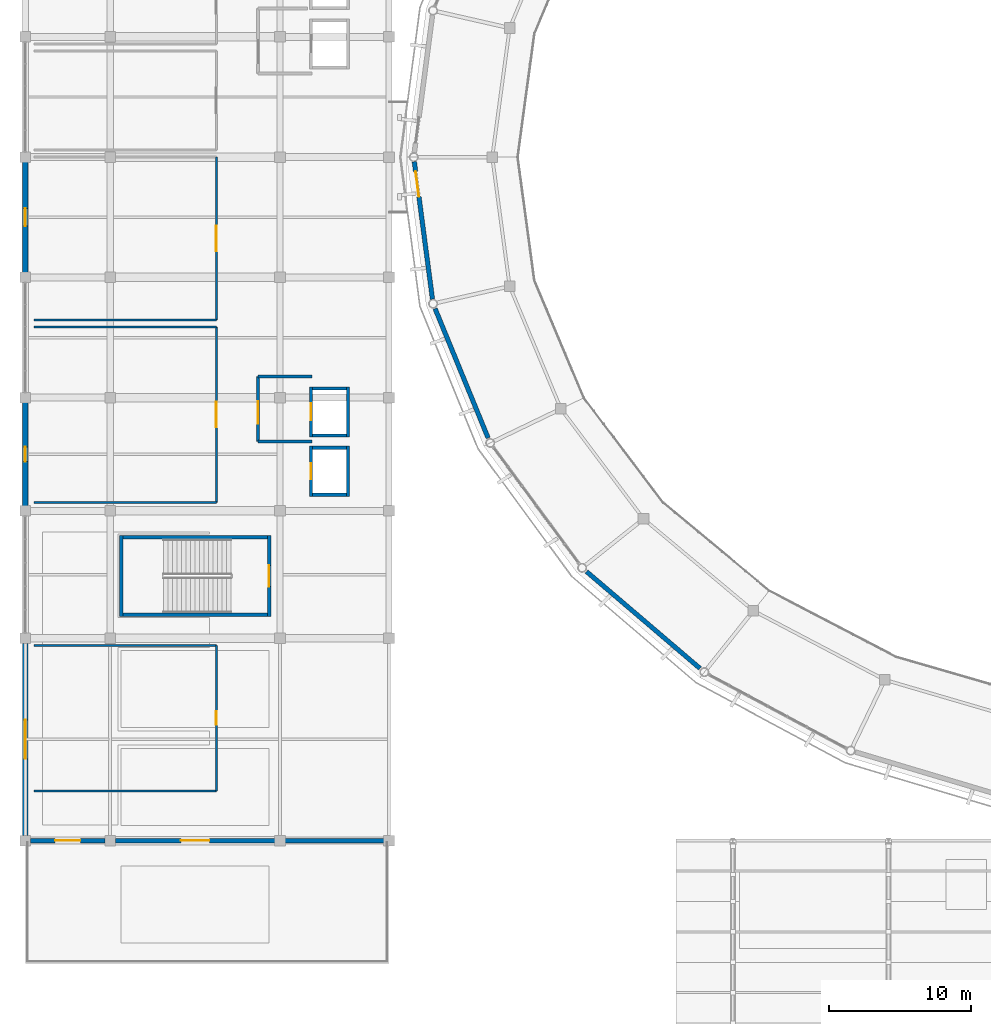
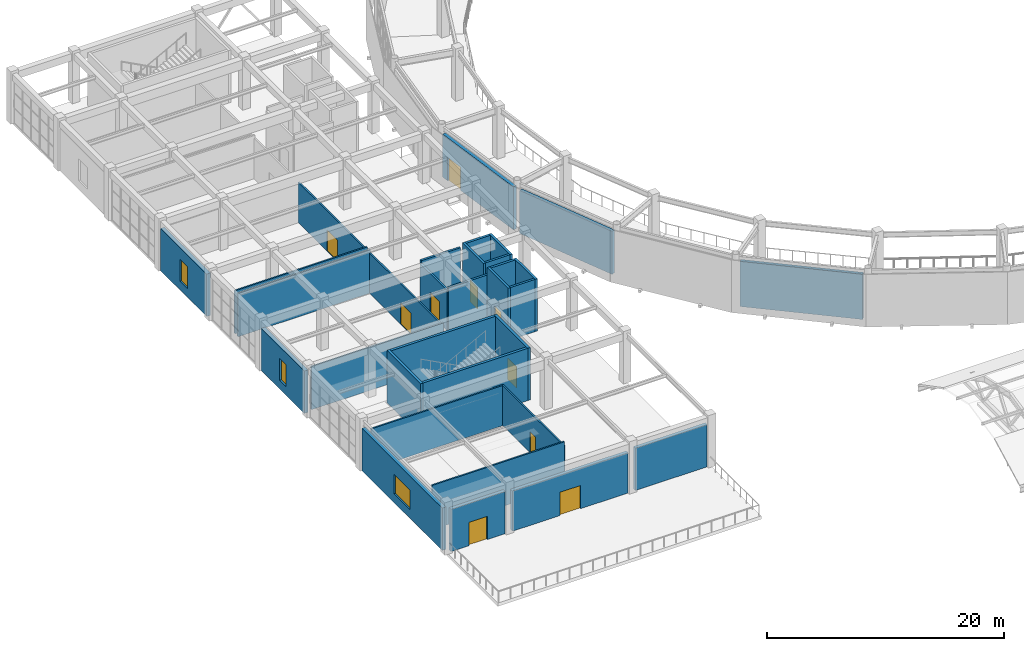
# One storey, part 53 of 70: 32 walls, 10 doors, 3 windows, 13 openings.
"""IFC4 building model written with IfcOpenShell, lengths in metres."""

from ifc_helpers import new_model, si_unit, direction, frame, frame_2d, origin, place, context, subcontext, project, spatial, rectangle, extrude, material, layer, layer_set, type_object, element, fill, save


model = new_model("IFC4")

# Units and contexts
model_context = context("Model", 3, precision=1e-05, world=origin(), true_north=direction((0.0, 1.0)))
body_context = subcontext(model_context, "Body", "Model", "MODEL_VIEW")
ifc_project = project(units=[si_unit("LENGTHUNIT", "METRE"), si_unit("AREAUNIT", "SQUARE_METRE"), si_unit("VOLUMEUNIT", "CUBIC_METRE"), si_unit("PLANEANGLEUNIT", "RADIAN"), si_unit("MASSUNIT", "GRAM", prefix="KILO")], contexts=[model_context])

# Site, building, storey
site_placement = place(None, origin())
site = spatial("IfcSite", under=ifc_project, at=site_placement, CompositionType="ELEMENT")
building_placement = place(site_placement, origin())
building = spatial("IfcBuilding", under=site, at=building_placement, Name="Cuetzalor Civic Arena", CompositionType="ELEMENT")
storey_placement = place(building_placement, frame((0.0, 0.0, 21.0)))
storey = spatial("IfcBuildingStorey", under=building, at=storey_placement, Name="L04", CompositionType="ELEMENT", Elevation=21.0)

# Walls
ifc_material_1 = material(Name="Acoustic steel-stud gypsum partition", Category="steel")
ifc_layer_1 = layer(ifc_material_1, 0.14990234375)
ifc_layer_set_1 = layer_set([ifc_layer_1], Name="Acoustic steel-stud gypsum partition")
wall_type_1 = type_object("IfcWallType", Name="AcousticGypsumPartition_150", PredefinedType="PARTITIONING", material=ifc_layer_set_1)
for number, where, z_axis, x_axis, name in (
    (1, (-81.39990234375, -12.0, 0.0), (0.0, 0.0, 1.0), (1.0, 0.0, 0.0), "Interior Partition IWALL:L04:0505"),
    (2, (-68.5, -24.39990234375, 0.0), (0.0, 0.0, 1.0), (-1.0, 0.0, 0.0), "Interior Partition IWALL:L04:0506"),
):
    element("IfcWall", number, at=place(storey_placement, frame(where, z_axis=z_axis, x_axis=x_axis)), inside=storey, type_object=wall_type_1, Name=name, PredefinedType="PARTITIONING", context=body_context, shape_type="SweptSolid", body=[
        extrude(rectangle(XDim=12.89990234375, YDim=0.14990234375, at=frame_2d((6.449951171875, 0.0))), origin(), (0.0, 0.0, 1.0), 4.445068359375),
    ])

# Wall, opening, door
wall_1_placement = place(storey_placement, frame((-68.5, -12.0, 0.0), z_axis=(0.0, 0.0, 1.0), x_axis=(0.0, -1.0, 0.0)))
wall_1 = element("IfcWall", 3, at=wall_1_placement, inside=storey, type_object=wall_type_1, Name="Interior Partition IWALL:L04:0507", PredefinedType="PARTITIONING", context=body_context, shape_type="SweptSolid", body=[
    extrude(rectangle(XDim=12.39990234375, YDim=0.14990234375, at=frame_2d((6.199951171875, 0.0))), origin(), (0.0, 0.0, 1.0), 4.14501953125),
])
opening_1_placement = place(wall_1_placement, frame((5.300048828125, 0.0, 0.0)))
opening_1 = element("IfcOpeningElement", 4, at=opening_1_placement, cuts=wall_1, Name="Opening ID-06", PredefinedType="OPENING", context=body_context, shape_type="SweptSolid", body=[
    extrude(rectangle(XDim=1.800048828125, YDim=2.199951171875, at=frame_2d((0.89990234375, 1.10009765625))), frame((0.0, 0.0849609375, 0.0), z_axis=(0.0, -1.0, 0.0), x_axis=(1.0, 0.0, 0.0)), (0.0, 0.0, 1.0), 0.169921875),
])
ifc_material_2 = material(Name="Glazed bronze acoustic double door", Category="metal")
door_type_1 = type_object("IfcDoorType", Name="PublicDoubleDoor_1800x2200", OperationType="DOUBLE_DOOR_SINGLE_SWING", PredefinedType="DOOR", material=ifc_material_2)
door_1_placement = place(opening_1_placement, origin())
door_1 = element("IfcDoor", 5, at=door_1_placement, inside=storey, type_object=door_type_1, Name="Door to Hospitality Club Lounge West Sky L04", OperationType="DOUBLE_DOOR_SINGLE_SWING", OverallHeight=2.199951171875, OverallWidth=1.800048828125, PredefinedType="DOOR", context=body_context, shape_type="SweptSolid", body=[
    extrude(rectangle(XDim=1.800048828125, YDim=2.199951171875, at=frame_2d((0.89990234375, 1.10009765625))), frame((0.0, 0.02490234375, 0.0), z_axis=(0.0, -1.0, 0.0), x_axis=(1.0, 0.0, 0.0)), (0.0, 0.0, 1.0), 0.050048828125),
])
fill(opening_1, door_1)

# Wall
wall_2_placement = place(storey_placement, frame((-68.5, -11.5, 0.0), z_axis=(0.0, 0.0, 1.0), x_axis=(-1.0, 0.0, 0.0)))
element("IfcWall", 6, at=wall_2_placement, inside=storey, type_object=wall_type_1, Name="Interior Partition IWALL:L04:0509", PredefinedType="PARTITIONING", context=body_context, shape_type="SweptSolid", body=[
    extrude(rectangle(XDim=12.89990234375, YDim=0.14990234375, at=frame_2d((6.449951171875, 0.0))), origin(), (0.0, 0.0, 1.0), 4.445068359375),
])

# Wall, opening, door
wall_3_placement = place(storey_placement, frame((-68.5, 0.0, 0.0), z_axis=(0.0, 0.0, 1.0), x_axis=(0.0, -1.0, 0.0)))
wall_3 = element("IfcWall", 7, at=wall_3_placement, inside=storey, type_object=wall_type_1, Name="Interior Partition IWALL:L04:0510", PredefinedType="PARTITIONING", context=body_context, shape_type="SweptSolid", body=[
    extrude(rectangle(XDim=11.5, YDim=0.14990234375, at=frame_2d((5.75, 0.0))), origin(), (0.0, 0.0, 1.0), 4.14501953125),
])
opening_2_placement = place(wall_3_placement, frame((4.85009765625, 0.0, 0.0)))
opening_2 = element("IfcOpeningElement", 8, at=opening_2_placement, cuts=wall_3, Name="Opening ID-06", PredefinedType="OPENING", context=body_context, shape_type="SweptSolid", body=[
    extrude(rectangle(XDim=1.800048828125, YDim=2.199951171875, at=frame_2d((0.89990234375, 1.10009765625))), frame((0.0, 0.0849609375, 0.0), z_axis=(0.0, -1.0, 0.0), x_axis=(1.0, 0.0, 0.0)), (0.0, 0.0, 1.0), 0.169921875),
])
door_2_placement = place(opening_2_placement, origin())
door_2 = element("IfcDoor", 9, at=door_2_placement, inside=storey, type_object=door_type_1, Name="Door to Sponsors Dining Hall West L04", OperationType="DOUBLE_DOOR_SINGLE_SWING", OverallHeight=2.199951171875, OverallWidth=1.800048828125, PredefinedType="DOOR", context=body_context, shape_type="SweptSolid", body=[
    extrude(rectangle(XDim=1.800048828125, YDim=2.199951171875, at=frame_2d((0.89990234375, 1.10009765625))), frame((0.0, 0.02490234375, 0.0), z_axis=(0.0, -1.0, 0.0), x_axis=(1.0, 0.0, 0.0)), (0.0, 0.0, 1.0), 0.050048828125),
])
fill(opening_2, door_2)

# Walls
wall_4_placement = place(storey_placement, frame((-81.39990234375, -34.5, 0.0), z_axis=(0.0, 0.0, 1.0), x_axis=(1.0, 0.0, 0.0)))
element("IfcWall", 10, at=wall_4_placement, inside=storey, type_object=wall_type_1, Name="Interior Partition IWALL:L04:0520", PredefinedType="PARTITIONING", context=body_context, shape_type="SweptSolid", body=[
    extrude(rectangle(XDim=12.89990234375, YDim=0.14990234375, at=frame_2d((6.449951171875, 0.0))), origin(), (0.0, 0.0, 1.0), 4.14501953125),
])
wall_5_placement = place(storey_placement, frame((-68.5, -44.800048828125, 0.0), z_axis=(0.0, 0.0, 1.0), x_axis=(-1.0, 0.0, 0.0)))
element("IfcWall", 11, at=wall_5_placement, inside=storey, type_object=wall_type_1, Name="Interior Partition IWALL:L04:0521", PredefinedType="PARTITIONING", context=body_context, shape_type="SweptSolid", body=[
    extrude(rectangle(XDim=12.89990234375, YDim=0.14990234375, at=frame_2d((6.449951171875, 0.0))), origin(), (0.0, 0.0, 1.0), 4.56201171875),
])

# Wall, opening, door
wall_6_placement = place(storey_placement, frame((-68.5, -34.5, 0.0), z_axis=(0.0, 0.0, 1.0), x_axis=(0.0, -1.0, 0.0)))
wall_6 = element("IfcWall", 12, at=wall_6_placement, inside=storey, type_object=wall_type_1, Name="Interior Partition IWALL:L04:0522", PredefinedType="PARTITIONING", context=body_context, shape_type="SweptSolid", body=[
    extrude(rectangle(XDim=10.300048828125, YDim=0.14990234375, at=frame_2d((5.14990234375, 0.0))), origin(), (0.0, 0.0, 1.0), 4.14501953125),
])
opening_3_placement = place(wall_6_placement, frame((4.675048828125, 0.0, 0.0)))
opening_3 = element("IfcOpeningElement", 13, at=opening_3_placement, cuts=wall_6, Name="Opening ID-03", PredefinedType="OPENING", context=body_context, shape_type="SweptSolid", body=[
    extrude(rectangle(XDim=0.949951171875, YDim=2.14990234375, at=frame_2d((0.47509765625, 1.074951171875))), frame((0.0, 0.0849609375, 0.0), z_axis=(0.0, -1.0, 0.0), x_axis=(1.0, 0.0, 0.0)), (0.0, 0.0, 1.0), 0.169921875),
])
ifc_material_3 = material(Name="Painted steel frame and solid timber leaf", Category="steel")
door_type_2 = type_object("IfcDoorType", Name="InteriorSingleDoor_950x2150", OperationType="NOTDEFINED", PredefinedType="DOOR", material=ifc_material_3)
door_3_placement = place(opening_3_placement, origin())
door_3 = element("IfcDoor", 14, at=door_3_placement, inside=storey, type_object=door_type_2, Name="Door to Catering Pantry West L04", OperationType="SINGLE_SWING_LEFT", OverallHeight=2.14990234375, OverallWidth=0.949951171875, PredefinedType="DOOR", context=body_context, shape_type="SweptSolid", body=[
    extrude(rectangle(XDim=0.949951171875, YDim=2.14990234375, at=frame_2d((0.47509765625, 1.074951171875))), frame((0.0, 0.02490234375, 0.0), z_axis=(0.0, -1.0, 0.0), x_axis=(1.0, 0.0, 0.0)), (0.0, 0.0, 1.0), 0.050048828125),
])
fill(opening_3, door_3)

# Walls
ifc_material_4 = material(Name="Concrete C40/50", Category="concrete")
ifc_layer_2 = layer(ifc_material_4, 0.25)
ifc_layer_set_2 = layer_set([ifc_layer_2], Name="Concrete C40/50")
wall_type_2 = type_object("IfcWallType", Name="ConcreteCoreShearWall_250", PredefinedType="SHEAR", material=ifc_layer_set_2)
wall_7_placement = place(storey_placement, frame((-75.22509765625, -32.449951171875, 0.0), z_axis=(0.0, 0.0, 1.0), x_axis=(0.0, 1.0, 0.0)))
element("IfcWall", 15, at=wall_7_placement, inside=storey, type_object=wall_type_2, Name="Stair Core Shear Wall ST-16-L04-W", PredefinedType="SHEAR", context=body_context, shape_type="SweptSolid", body=[
    extrude(rectangle(XDim=5.699951171875, YDim=0.25, at=frame_2d((2.85009765625, 0.0))), origin(), (0.0, 0.0, 1.0), 5.39990234375),
])
wall_8_placement = place(storey_placement, frame((-75.10009765625, -26.875, 0.0), z_axis=(0.0, 0.0, 1.0), x_axis=(1.0, 0.0, 0.0)))
element("IfcWall", 16, at=wall_8_placement, inside=storey, type_object=wall_type_2, Name="Stair Core Shear Wall ST-16-L04-N", PredefinedType="SHEAR", context=body_context, shape_type="SweptSolid", body=[
    extrude(rectangle(XDim=10.2001953125, YDim=0.25, at=frame_2d((5.10009765625, 0.0))), origin(), (0.0, 0.0, 1.0), 5.39990234375),
])

# Wall, opening, door
wall_9_placement = place(storey_placement, frame((-64.77490234375, -26.75, 0.0), z_axis=(0.0, 0.0, 1.0), x_axis=(0.0, -1.0, 0.0)))
wall_9 = element("IfcWall", 17, at=wall_9_placement, inside=storey, type_object=wall_type_2, Name="Stair Core Shear Wall ST-16-L04-E", PredefinedType="SHEAR", context=body_context, shape_type="SweptSolid", body=[
    extrude(rectangle(XDim=5.699951171875, YDim=0.25, at=frame_2d((2.85009765625, 0.0))), origin(), (0.0, 0.0, 1.0), 5.39990234375),
])
opening_4_placement = place(wall_9_placement, frame((2.10009765625, 0.0, 0.0)))
opening_4 = element("IfcOpeningElement", 18, at=opening_4_placement, cuts=wall_9, Name="Opening FD-03", PredefinedType="OPENING", context=body_context, shape_type="SweptSolid", body=[
    extrude(rectangle(XDim=1.5, YDim=2.199951171875, at=frame_2d((0.75, 1.10009765625))), frame((0.0, 0.135009765625, 0.0), z_axis=(0.0, -1.0, 0.0), x_axis=(1.0, 0.0, 0.0)), (0.0, 0.0, 1.0), 0.27001953125),
])
ifc_material_5 = material(Name="Fire-rated steel stair exit double door", Category="steel")
door_type_3 = type_object("IfcDoorType", Name="StairFireDoubleDoor_1500x2200", OperationType="DOUBLE_DOOR_SINGLE_SWING", PredefinedType="DOOR", material=ifc_material_5)
door_4_placement = place(opening_4_placement, origin())
door_4 = element("IfcDoor", 19, at=door_4_placement, inside=storey, type_object=door_type_3, Name="Fire Stair Door ST-16 L04", OperationType="DOUBLE_DOOR_SINGLE_SWING", OverallHeight=2.199951171875, OverallWidth=1.5, PredefinedType="DOOR", context=body_context, shape_type="SweptSolid", body=[
    extrude(rectangle(XDim=1.5, YDim=2.199951171875, at=frame_2d((0.75, 1.10009765625))), frame((0.0, 0.02490234375, 0.0), z_axis=(0.0, -1.0, 0.0), x_axis=(1.0, 0.0, 0.0)), (0.0, 0.0, 1.0), 0.050048828125),
])
fill(opening_4, door_4)

# Wall
wall_10_placement = place(storey_placement, frame((-64.89990234375, -32.324951171875, 0.0), z_axis=(0.0, 0.0, 1.0), x_axis=(-1.0, 0.0, 0.0)))
element("IfcWall", 20, at=wall_10_placement, inside=storey, type_object=wall_type_2, Name="Stair Core Shear Wall ST-16-L04-S", PredefinedType="SHEAR", context=body_context, shape_type="SweptSolid", body=[
    extrude(rectangle(XDim=10.2001953125, YDim=0.25, at=frame_2d((5.10009765625, 0.0))), origin(), (0.0, 0.0, 1.0), 5.39990234375),
])

# Wall, opening, door
ifc_material_6 = material(Name="Fire-rated masonry and gypsum partition", Category="masonry")
ifc_layer_3 = layer(ifc_material_6, 0.199951171875)
ifc_layer_set_3 = layer_set([ifc_layer_3], Name="Fire-rated masonry and gypsum partition")
wall_type_3 = type_object("IfcWallType", Name="FireCompartmentWall_200", PredefinedType="PARTITIONING", material=ifc_layer_set_3)
wall_11_placement = place(storey_placement, frame((-65.550048828125, -20.10009765625, 0.0), z_axis=(0.0, 0.0, 1.0), x_axis=(0.0, 1.0, 0.0)))
wall_11 = element("IfcWall", 21, at=wall_11_placement, inside=storey, type_object=wall_type_3, Name="Interior Partition IWALL:L04:0013", PredefinedType="PARTITIONING", context=body_context, shape_type="SweptSolid", body=[
    extrude(rectangle(XDim=4.60009765625, YDim=0.199951171875, at=frame_2d((2.300048828125, 0.0))), origin(), (0.0, 0.0, 1.0), 4.14501953125),
])
opening_5_placement = place(wall_11_placement, frame((1.25, 0.0, 0.0)))
opening_5 = element("IfcOpeningElement", 22, at=opening_5_placement, cuts=wall_11, Name="Opening FD-05", PredefinedType="OPENING", context=body_context, shape_type="SweptSolid", body=[
    extrude(rectangle(XDim=1.60009765625, YDim=2.199951171875, at=frame_2d((0.800048828125, 1.10009765625))), frame((0.0, 0.10986328125, 0.0), z_axis=(0.0, -1.0, 0.0), x_axis=(1.0, 0.0, 0.0)), (0.0, 0.0, 1.0), 0.219970703125),
])
ifc_material_7 = material(Name="Fire-rated smoke-seal lobby double door", Category="steel")
door_type_4 = type_object("IfcDoorType", Name="FireLobbyDoubleDoor_1600x2200", OperationType="DOUBLE_DOOR_SINGLE_SWING", PredefinedType="DOOR", material=ifc_material_7)
door_5_placement = place(opening_5_placement, origin())
door_5 = element("IfcDoor", 23, at=door_5_placement, inside=storey, type_object=door_type_4, Name="Door to Firefighting Lift Lobby LF-01 L04", OperationType="DOUBLE_DOOR_SINGLE_SWING", OverallHeight=2.199951171875, OverallWidth=1.60009765625, PredefinedType="DOOR", context=body_context, shape_type="SweptSolid", body=[
    extrude(rectangle(XDim=1.60009765625, YDim=2.199951171875, at=frame_2d((0.800048828125, 1.10009765625))), frame((0.0, 0.02490234375, 0.0), z_axis=(0.0, -1.0, 0.0), x_axis=(1.0, 0.0, 0.0)), (0.0, 0.0, 1.0), 0.050048828125),
])
fill(opening_5, door_5)

# Walls
for number, where, z_axis, x_axis, name in (
    (24, (-65.550048828125, -15.5, 0.0), (0.0, 0.0, 1.0), (1.0, 0.0, 0.0), "Interior Partition IWALL:L04:0014"),
    (25, (-61.75, -20.10009765625, 0.0), (0.0, 0.0, 1.0), (-1.0, 0.0, 0.0), "Interior Partition IWALL:L04:0015"),
):
    element("IfcWall", number, at=place(storey_placement, frame(where, z_axis=z_axis, x_axis=x_axis)), inside=storey, type_object=wall_type_3, Name=name, PredefinedType="PARTITIONING", context=body_context, shape_type="SweptSolid", body=[
        extrude(rectangle(XDim=3.800048828125, YDim=0.199951171875, at=frame_2d((1.89990234375, 0.0))), origin(), (0.0, 0.0, 1.0), 4.445068359375),
    ])

# Wall, opening, door
ifc_material_8 = material(Name="Precast concrete C40/50 insulated cladding", Category="concrete")
ifc_layer_4 = layer(ifc_material_8, 0.320068359375)
ifc_layer_set_4 = layer_set([ifc_layer_4], Name="Precast concrete C40/50 insulated cladding")
wall_type_4 = type_object("IfcWallType", Name="InsulatedPrecastWall_320", PredefinedType="SOLIDWALL", material=ifc_layer_set_4)
wall_12_placement = place(storey_placement, frame((-53.224853515625, -10.036865234375, 0.0), z_axis=(0.0, 0.0, 1.0), x_axis=(-0.130894016981, 0.991396366908, 0.0)))
wall_12 = element("IfcWall", 26, at=wall_12_placement, inside=storey, type_object=wall_type_4, Name="Drum Acoustic Backing Wall L04-065", PredefinedType="SOLIDWALL", context=body_context, shape_type="SweptSolid", body=[
    extrude(rectangle(XDim=9.799560546875, YDim=0.320068359375, at=frame_2d((4.89990234375, 0.0))), origin(), (0.0, 0.0, 1.0), 4.431884765625),
])
opening_6_placement = place(wall_12_placement, frame((7.299560546875, 0.0, 0.0)))
opening_6 = element("IfcOpeningElement", 27, at=opening_6_placement, cuts=wall_12, Name="Opening ED-09", PredefinedType="OPENING", context=body_context, shape_type="SweptSolid", body=[
    extrude(rectangle(XDim=1.800048828125, YDim=2.39990234375, at=frame_2d((0.89990234375, 1.199951171875))), frame((0.0, 0.169921875, 0.0), z_axis=(0.0, -1.0, 0.0), x_axis=(1.0, 0.0, 0.0)), (0.0, 0.0, 1.0), 0.340087890625),
])
ifc_material_9 = material(Name="Thermally broken bronze steel and laminated glass", Category="steel")
door_type_5 = type_object("IfcDoorType", Name="RoofGardenGlazedDoor_1800x2400", OperationType="DOUBLE_DOOR_SINGLE_SWING", PredefinedType="DOOR", material=ifc_material_9)
door_6_placement = place(opening_6_placement, origin())
door_6 = element("IfcDoor", 28, at=door_6_placement, inside=storey, type_object=door_type_5, Name="Seismic Bridge Circulation Door L04-S15", OperationType="DOUBLE_DOOR_SINGLE_SWING", OverallHeight=2.39990234375, OverallWidth=1.800048828125, PredefinedType="DOOR", context=body_context, shape_type="SweptSolid", body=[
    extrude(rectangle(XDim=1.800048828125, YDim=2.39990234375, at=frame_2d((0.89990234375, 1.199951171875))), frame((0.0, 0.02490234375, 0.0), z_axis=(0.0, -1.0, 0.0), x_axis=(1.0, 0.0, 0.0)), (0.0, 0.0, 1.0), 0.050048828125),
])
fill(opening_6, door_6)

# Walls
wall_13_placement = place(storey_placement, frame((-49.2919921875, -19.845703125, 0.0), z_axis=(0.0, 0.0, 1.0), x_axis=(-0.379382703047, 0.925239841678, 0.0)))
element("IfcWall", 29, at=wall_13_placement, inside=storey, type_object=wall_type_4, Name="Drum Acoustic Backing Wall L04-066", PredefinedType="SOLIDWALL", context=body_context, shape_type="SweptSolid", body=[
    extrude(rectangle(XDim=9.874267578125, YDim=0.320068359375, at=frame_2d((4.93701171875, 0.0))), origin(), (0.0, 0.0, 1.0), 4.431884765625),
])
wall_14_placement = place(storey_placement, frame((-34.32470703125, -36.126953125, 0.0), z_axis=(0.0, 0.0, 1.0), x_axis=(-0.760681761173, 0.649124994296, 0.0)))
element("IfcWall", 30, at=wall_14_placement, inside=storey, type_object=wall_type_4, Name="Drum Acoustic Backing Wall L04-067", PredefinedType="SOLIDWALL", context=body_context, shape_type="SweptSolid", body=[
    extrude(rectangle(XDim=10.531005859375, YDim=0.320068359375, at=frame_2d((5.265625, 0.0))), origin(), (0.0, 0.0, 1.0), 4.653076171875),
])

# Wall, opening, door
wall_15_placement = place(storey_placement, frame((-76.35693359375, -48.300048828125, 0.0), z_axis=(0.0, 0.0, 1.0), x_axis=(-1.0, 0.0, 0.0)))
wall_15 = element("IfcWall", 31, at=wall_15_placement, inside=storey, type_object=wall_type_4, Name="V4W L04 Roof Garden Access Wall L04-151", PredefinedType="SOLIDWALL", context=body_context, shape_type="SweptSolid", body=[
    extrude(rectangle(XDim=5.2861328125, YDim=0.320068359375, at=frame_2d((2.64306640625, 0.0))), origin(), (0.0, 0.0, 1.0), 4.360107421875),
])
opening_7_placement = place(wall_15_placement, frame((1.742919921875, 0.0, 0.0)))
opening_7 = element("IfcOpeningElement", 32, at=opening_7_placement, cuts=wall_15, Name="Opening ED-09", PredefinedType="OPENING", context=body_context, shape_type="SweptSolid", body=[
    extrude(rectangle(XDim=1.800048828125, YDim=2.39990234375, at=frame_2d((0.89990234375, 1.199951171875))), frame((0.0, 0.169921875, 0.0), z_axis=(0.0, -1.0, 0.0), x_axis=(1.0, 0.0, 0.0)), (0.0, 0.0, 1.0), 0.340087890625),
])
door_7_placement = place(opening_7_placement, origin())
door_7 = element("IfcDoor", 33, at=door_7_placement, inside=storey, type_object=door_type_5, Name="Glazed Door to Planted Roof Garden V4W L04-1", OperationType="DOUBLE_DOOR_SINGLE_SWING", OverallHeight=2.39990234375, OverallWidth=1.800048828125, PredefinedType="DOOR", context=body_context, shape_type="SweptSolid", body=[
    extrude(rectangle(XDim=1.800048828125, YDim=2.39990234375, at=frame_2d((0.89990234375, 1.199951171875))), frame((0.0, 0.02490234375, 0.0), z_axis=(0.0, -1.0, 0.0), x_axis=(1.0, 0.0, 0.0)), (0.0, 0.0, 1.0), 0.050048828125),
])
fill(opening_7, door_7)

wall_16_placement = place(storey_placement, frame((-64.35693359375, -48.300048828125, 0.0), z_axis=(0.0, 0.0, 1.0), x_axis=(-1.0, 0.0, 0.0)))
wall_16 = element("IfcWall", 34, at=wall_16_placement, inside=storey, type_object=wall_type_4, Name="V4W L04 Roof Garden Access Wall L04-152", PredefinedType="SOLIDWALL", context=body_context, shape_type="SweptSolid", body=[
    extrude(rectangle(XDim=11.2861328125, YDim=0.320068359375, at=frame_2d((5.64306640625, 0.0))), origin(), (0.0, 0.0, 1.0), 4.159912109375),
])
opening_8_placement = place(wall_16_placement, frame((4.64306640625, 0.0, 0.0)))
opening_8 = element("IfcOpeningElement", 35, at=opening_8_placement, cuts=wall_16, Name="Opening ED-10", PredefinedType="OPENING", context=body_context, shape_type="SweptSolid", body=[
    extrude(rectangle(XDim=2.0, YDim=2.39990234375, at=frame_2d((1.0, 1.199951171875))), frame((0.0, 0.169921875, 0.0), z_axis=(0.0, -1.0, 0.0), x_axis=(1.0, 0.0, 0.0)), (0.0, 0.0, 1.0), 0.340087890625),
])
ifc_material_10 = material(Name="Thermally broken bronze steel and laminated glass", Category="steel")
door_type_6 = type_object("IfcDoorType", Name="RoofGardenGlazedDoor_2000x2400", OperationType="DOUBLE_DOOR_SINGLE_SWING", PredefinedType="DOOR", material=ifc_material_10)
door_8_placement = place(opening_8_placement, origin())
door_8 = element("IfcDoor", 36, at=door_8_placement, inside=storey, type_object=door_type_6, Name="Glazed Door to Planted Roof Garden V4W L04-2", OperationType="DOUBLE_DOOR_SINGLE_SWING", OverallHeight=2.39990234375, OverallWidth=2.0, PredefinedType="DOOR", context=body_context, shape_type="SweptSolid", body=[
    extrude(rectangle(XDim=2.0, YDim=2.39990234375, at=frame_2d((1.0, 1.199951171875))), frame((0.0, 0.02490234375, 0.0), z_axis=(0.0, -1.0, 0.0), x_axis=(1.0, 0.0, 0.0)), (0.0, 0.0, 1.0), 0.050048828125),
])
fill(opening_8, door_8)

# Wall
wall_17_placement = place(storey_placement, frame((-56.656982421875, -48.300048828125, 0.0), z_axis=(0.0, 0.0, 1.0), x_axis=(-1.0, 0.0, 0.0)))
element("IfcWall", 37, at=wall_17_placement, inside=storey, type_object=wall_type_4, Name="V4W L04 Roof Garden Access Wall L04-153", PredefinedType="SOLIDWALL", context=body_context, shape_type="SweptSolid", body=[
    extrude(rectangle(XDim=6.986083984375, YDim=0.320068359375, at=frame_2d((3.4931640625, 0.0))), origin(), (0.0, 0.0, 1.0), 4.360107421875),
])

# Wall, opening, door
ifc_material_11 = material(Name="Concrete C40/50", Category="concrete")
ifc_layer_5 = layer(ifc_material_11, 0.219970703125)
ifc_layer_set_5 = layer_set([ifc_layer_5], Name="Concrete C40/50")
wall_type_5 = type_object("IfcWallType", Name="LiftShaftShearWall_220", PredefinedType="SHEAR", material=ifc_layer_set_5)
wall_18_placement = place(storey_placement, frame((-61.81005859375, -19.77001953125, 0.0), z_axis=(0.0, 0.0, 1.0), x_axis=(0.0, 1.0, 0.0)))
wall_18 = element("IfcWall", 38, at=wall_18_placement, inside=storey, type_object=wall_type_5, Name="Lift Shaft Wall LF-01-L04-W", PredefinedType="SHEAR", context=body_context, shape_type="SweptSolid", body=[
    extrude(rectangle(XDim=3.5400390625, YDim=0.219970703125, at=frame_2d((1.77001953125, 0.0))), origin(), (0.0, 0.0, 1.0), 5.39990234375),
])
opening_9_placement = place(wall_18_placement, frame((1.169921875, 0.0, 0.0)))
opening_9 = element("IfcOpeningElement", 39, at=opening_9_placement, cuts=wall_18, Name="Opening LD-02", PredefinedType="OPENING", context=body_context, shape_type="SweptSolid", body=[
    extrude(rectangle(XDim=1.199951171875, YDim=2.199951171875, at=frame_2d((0.60009765625, 1.10009765625))), frame((0.0, 0.1201171875, 0.0), z_axis=(0.0, -1.0, 0.0), x_axis=(1.0, 0.0, 0.0)), (0.0, 0.0, 1.0), 0.239990234375),
])
ifc_material_12 = material(Name="Fire-rated stainless steel sliding lift landing door", Category="steel")
door_type_7 = type_object("IfcDoorType", Name="LiftLandingSlidingDoor_1200x2200", OperationType="SLIDING_TO_LEFT", PredefinedType="DOOR", material=ifc_material_12)
door_9_placement = place(opening_9_placement, origin())
door_9 = element("IfcDoor", 40, at=door_9_placement, inside=storey, type_object=door_type_7, Name="Lift Landing Sliding Door LF-01 L04", OperationType="SLIDING_TO_LEFT", OverallHeight=2.199951171875, OverallWidth=1.199951171875, PredefinedType="DOOR", context=body_context, shape_type="SweptSolid", body=[
    extrude(rectangle(XDim=1.199951171875, YDim=2.199951171875, at=frame_2d((0.60009765625, 1.10009765625))), frame((0.0, 0.02490234375, 0.0), z_axis=(0.0, -1.0, 0.0), x_axis=(1.0, 0.0, 0.0)), (0.0, 0.0, 1.0), 0.050048828125),
])
fill(opening_9, door_9)

# Walls
wall_19_placement = place(storey_placement, frame((-61.699951171875, -16.340087890625, 0.0), z_axis=(0.0, 0.0, 1.0), x_axis=(1.0, 0.0, 0.0)))
element("IfcWall", 41, at=wall_19_placement, inside=storey, type_object=wall_type_5, Name="Lift Shaft Wall LF-01-L04-N", PredefinedType="SHEAR", context=body_context, shape_type="SweptSolid", body=[
    extrude(rectangle(XDim=2.39990234375, YDim=0.219970703125, at=frame_2d((1.199951171875, 0.0))), origin(), (0.0, 0.0, 1.0), 5.39990234375),
])
wall_20_placement = place(storey_placement, frame((-59.18994140625, -16.22998046875, 0.0), z_axis=(0.0, 0.0, 1.0), x_axis=(0.0, -1.0, 0.0)))
element("IfcWall", 42, at=wall_20_placement, inside=storey, type_object=wall_type_5, Name="Lift Shaft Wall LF-01-L04-E", PredefinedType="SHEAR", context=body_context, shape_type="SweptSolid", body=[
    extrude(rectangle(XDim=3.5400390625, YDim=0.219970703125, at=frame_2d((1.77001953125, 0.0))), origin(), (0.0, 0.0, 1.0), 5.39990234375),
])
wall_21_placement = place(storey_placement, frame((-59.300048828125, -19.659912109375, 0.0), z_axis=(0.0, 0.0, 1.0), x_axis=(-1.0, 0.0, 0.0)))
element("IfcWall", 43, at=wall_21_placement, inside=storey, type_object=wall_type_5, Name="Lift Shaft Wall LF-01-L04-S", PredefinedType="SHEAR", context=body_context, shape_type="SweptSolid", body=[
    extrude(rectangle(XDim=2.39990234375, YDim=0.219970703125, at=frame_2d((1.199951171875, 0.0))), origin(), (0.0, 0.0, 1.0), 5.39990234375),
])

# Wall, opening, door
wall_22_placement = place(storey_placement, frame((-61.81005859375, -23.969970703125, 0.0), z_axis=(0.0, 0.0, 1.0), x_axis=(0.0, 1.0, 0.0)))
wall_22 = element("IfcWall", 44, at=wall_22_placement, inside=storey, type_object=wall_type_5, Name="Lift Shaft Wall LP-03-L04-W", PredefinedType="SHEAR", context=body_context, shape_type="SweptSolid", body=[
    extrude(rectangle(XDim=3.5400390625, YDim=0.219970703125, at=frame_2d((1.77001953125, 0.0))), origin(), (0.0, 0.0, 1.0), 5.39990234375),
])
opening_10_placement = place(wall_22_placement, frame((1.219970703125, 0.0, 0.0)))
opening_10 = element("IfcOpeningElement", 45, at=opening_10_placement, cuts=wall_22, Name="Opening LD-01", PredefinedType="OPENING", context=body_context, shape_type="SweptSolid", body=[
    extrude(rectangle(XDim=1.10009765625, YDim=2.199951171875, at=frame_2d((0.550048828125, 1.10009765625))), frame((0.0, 0.1201171875, 0.0), z_axis=(0.0, -1.0, 0.0), x_axis=(1.0, 0.0, 0.0)), (0.0, 0.0, 1.0), 0.239990234375),
])
ifc_material_13 = material(Name="Brushed stainless steel sliding lift landing door", Category="steel")
door_type_8 = type_object("IfcDoorType", Name="LiftLandingSlidingDoor_1100x2200", OperationType="SLIDING_TO_LEFT", PredefinedType="DOOR", material=ifc_material_13)
door_10_placement = place(opening_10_placement, origin())
door_10 = element("IfcDoor", 46, at=door_10_placement, inside=storey, type_object=door_type_8, Name="Lift Landing Sliding Door LP-03 L04", OperationType="SLIDING_TO_LEFT", OverallHeight=2.199951171875, OverallWidth=1.10009765625, PredefinedType="DOOR", context=body_context, shape_type="SweptSolid", body=[
    extrude(rectangle(XDim=1.10009765625, YDim=2.199951171875, at=frame_2d((0.550048828125, 1.10009765625))), frame((0.0, 0.02490234375, 0.0), z_axis=(0.0, -1.0, 0.0), x_axis=(1.0, 0.0, 0.0)), (0.0, 0.0, 1.0), 0.050048828125),
])
fill(opening_10, door_10)

# Walls
wall_23_placement = place(storey_placement, frame((-61.699951171875, -20.5400390625, 0.0), z_axis=(0.0, 0.0, 1.0), x_axis=(1.0, 0.0, 0.0)))
element("IfcWall", 47, at=wall_23_placement, inside=storey, type_object=wall_type_5, Name="Lift Shaft Wall LP-03-L04-N", PredefinedType="SHEAR", context=body_context, shape_type="SweptSolid", body=[
    extrude(rectangle(XDim=2.39990234375, YDim=0.219970703125, at=frame_2d((1.199951171875, 0.0))), origin(), (0.0, 0.0, 1.0), 5.39990234375),
])
wall_24_placement = place(storey_placement, frame((-59.18994140625, -20.429931640625, 0.0), z_axis=(0.0, 0.0, 1.0), x_axis=(0.0, -1.0, 0.0)))
element("IfcWall", 48, at=wall_24_placement, inside=storey, type_object=wall_type_5, Name="Lift Shaft Wall LP-03-L04-E", PredefinedType="SHEAR", context=body_context, shape_type="SweptSolid", body=[
    extrude(rectangle(XDim=3.5400390625, YDim=0.219970703125, at=frame_2d((1.77001953125, 0.0))), origin(), (0.0, 0.0, 1.0), 5.39990234375),
])
wall_25_placement = place(storey_placement, frame((-59.300048828125, -23.860107421875, 0.0), z_axis=(0.0, 0.0, 1.0), x_axis=(-1.0, 0.0, 0.0)))
element("IfcWall", 49, at=wall_25_placement, inside=storey, type_object=wall_type_5, Name="Lift Shaft Wall LP-03-L04-S", PredefinedType="SHEAR", context=body_context, shape_type="SweptSolid", body=[
    extrude(rectangle(XDim=2.39990234375, YDim=0.219970703125, at=frame_2d((1.199951171875, 0.0))), origin(), (0.0, 0.0, 1.0), 5.39990234375),
])

# Wall, opening, window
ifc_material_14 = material(Name="Polychrome Talavera ceramic on Concrete C35/45", Category="concrete")
ifc_layer_6 = layer(ifc_material_14, 0.3798828125)
ifc_layer_set_6 = layer_set([ifc_layer_6], Name="Polychrome Talavera ceramic on Concrete C35/45")
wall_type_6 = type_object("IfcWallType", Name="TalaveraSpandrelWall_380", PredefinedType="SOLIDWALL", material=ifc_layer_set_6)
wall_26_placement = place(storey_placement, frame((-82.0, -47.943115234375, 0.0), z_axis=(0.0, 0.0, 1.0), x_axis=(0.0, 1.0, 0.0)))
wall_26 = element("IfcWall", 50, at=wall_26_placement, inside=storey, type_object=wall_type_6, Name="V4W Outer Talavera Wall L04-141", PredefinedType="SOLIDWALL", context=body_context, shape_type="SweptSolid", body=[
    extrude(rectangle(XDim=13.586181640625, YDim=0.3798828125, at=frame_2d((6.79296875, 0.0))), origin(), (0.0, 0.0, 1.0), 4.360107421875),
])
opening_11_placement = place(wall_26_placement, frame((5.41796875, 0.0, 0.89990234375)))
opening_11 = element("IfcOpeningElement", 51, at=opening_11_placement, cuts=wall_26, Name="Opening WN-36", PredefinedType="OPENING", context=body_context, shape_type="SweptSolid", body=[
    extrude(rectangle(XDim=2.75, YDim=2.0, at=frame_2d((1.375, 1.0))), frame((0.0, 0.199951171875, 0.0), z_axis=(0.0, -1.0, 0.0), x_axis=(1.0, 0.0, 0.0)), (0.0, 0.0, 1.0), 0.39990234375),
])
ifc_material_15 = material(Name="Anodised bronze aluminium and low-E solar glass", Category="aluminium")
window_type_1 = type_object("IfcWindowType", Name="BronzeThermalWindow_2750x2000", PartitioningType="DOUBLE_PANEL_VERTICAL", PredefinedType="WINDOW", material=ifc_material_15)
window_1_placement = place(opening_11_placement, origin())
window_1 = element("IfcWindow", 52, at=window_1_placement, inside=storey, type_object=window_type_1, Name="V4W Facade Window L04-0036", OverallHeight=2.0, OverallWidth=2.75, PartitioningType="SINGLE_PANEL", PredefinedType="WINDOW", context=body_context, shape_type="SweptSolid", body=[
    extrude(rectangle(XDim=2.75, YDim=2.0, at=frame_2d((1.375, 1.0))), frame((0.0, 0.030029296875, 0.0), z_axis=(0.0, -1.0, 0.0), x_axis=(1.0, 0.0, 0.0)), (0.0, 0.0, 1.0), 0.06005859375),
])
fill(opening_11, window_1)

wall_27_placement = place(storey_placement, frame((-82.0, -24.64306640625, 0.0), z_axis=(0.0, 0.0, 1.0), x_axis=(0.0, 1.0, 0.0)))
wall_27 = element("IfcWall", 53, at=wall_27_placement, inside=storey, type_object=wall_type_6, Name="V4W Outer Talavera Wall L04-142", PredefinedType="SOLIDWALL", context=body_context, shape_type="SweptSolid", body=[
    extrude(rectangle(XDim=7.2861328125, YDim=0.3798828125, at=frame_2d((3.64306640625, 0.0))), origin(), (0.0, 0.0, 1.0), 4.360107421875),
])
opening_12_placement = place(wall_27_placement, frame((3.117919921875, 0.0, 0.89990234375)))
opening_12 = element("IfcOpeningElement", 54, at=opening_12_placement, cuts=wall_27, Name="Opening WN-37", PredefinedType="OPENING", context=body_context, shape_type="SweptSolid", body=[
    extrude(rectangle(XDim=1.050048828125, YDim=2.25, at=frame_2d((0.52490234375, 1.125))), frame((0.0, 0.199951171875, 0.0), z_axis=(0.0, -1.0, 0.0), x_axis=(1.0, 0.0, 0.0)), (0.0, 0.0, 1.0), 0.39990234375),
])
ifc_material_16 = material(Name="Anodised bronze aluminium and low-E solar glass", Category="aluminium")
window_type_2 = type_object("IfcWindowType", Name="BronzeThermalWindow_1050x2250", PartitioningType="SINGLE_PANEL", PredefinedType="WINDOW", material=ifc_material_16)
window_2_placement = place(opening_12_placement, origin())
window_2 = element("IfcWindow", 55, at=window_2_placement, inside=storey, type_object=window_type_2, Name="V4W Facade Window L04-0037", OverallHeight=2.25, OverallWidth=1.050048828125, PartitioningType="SINGLE_PANEL", PredefinedType="WINDOW", context=body_context, shape_type="SweptSolid", body=[
    extrude(rectangle(XDim=1.050048828125, YDim=2.25, at=frame_2d((0.52490234375, 1.125))), frame((0.0, 0.030029296875, 0.0), z_axis=(0.0, -1.0, 0.0), x_axis=(1.0, 0.0, 0.0)), (0.0, 0.0, 1.0), 0.06005859375),
])
fill(opening_12, window_2)

wall_28_placement = place(storey_placement, frame((-82.0, -8.14306640625, 0.0), z_axis=(0.0, 0.0, 1.0), x_axis=(0.0, 1.0, 0.0)))
wall_28 = element("IfcWall", 56, at=wall_28_placement, inside=storey, type_object=wall_type_6, Name="V4W Outer Talavera Wall L04-143", PredefinedType="SOLIDWALL", context=body_context, shape_type="SweptSolid", body=[
    extrude(rectangle(XDim=7.7861328125, YDim=0.3798828125, at=frame_2d((3.89306640625, 0.0))), origin(), (0.0, 0.0, 1.0), 4.360107421875),
])
opening_13_placement = place(wall_28_placement, frame((3.26806640625, 0.0, 0.89990234375)))
opening_13 = element("IfcOpeningElement", 57, at=opening_13_placement, cuts=wall_28, Name="Opening WN-38", PredefinedType="OPENING", context=body_context, shape_type="SweptSolid", body=[
    extrude(rectangle(XDim=1.25, YDim=2.25, at=frame_2d((0.625, 1.125))), frame((0.0, 0.199951171875, 0.0), z_axis=(0.0, -1.0, 0.0), x_axis=(1.0, 0.0, 0.0)), (0.0, 0.0, 1.0), 0.39990234375),
])
ifc_material_17 = material(Name="Anodised bronze aluminium and low-E solar glass", Category="aluminium")
window_type_3 = type_object("IfcWindowType", Name="BronzeThermalWindow_1250x2250", PartitioningType="SINGLE_PANEL", PredefinedType="WINDOW", material=ifc_material_17)
window_3_placement = place(opening_13_placement, origin())
window_3 = element("IfcWindow", 58, at=window_3_placement, inside=storey, type_object=window_type_3, Name="V4W Facade Window L04-0038", OverallHeight=2.25, OverallWidth=1.25, PartitioningType="SINGLE_PANEL", PredefinedType="WINDOW", context=body_context, shape_type="SweptSolid", body=[
    extrude(rectangle(XDim=1.25, YDim=2.25, at=frame_2d((0.625, 1.125))), frame((0.0, 0.030029296875, 0.0), z_axis=(0.0, -1.0, 0.0), x_axis=(1.0, 0.0, 0.0)), (0.0, 0.0, 1.0), 0.06005859375),
])
fill(opening_13, window_3)

save(model, "model.ifc")
